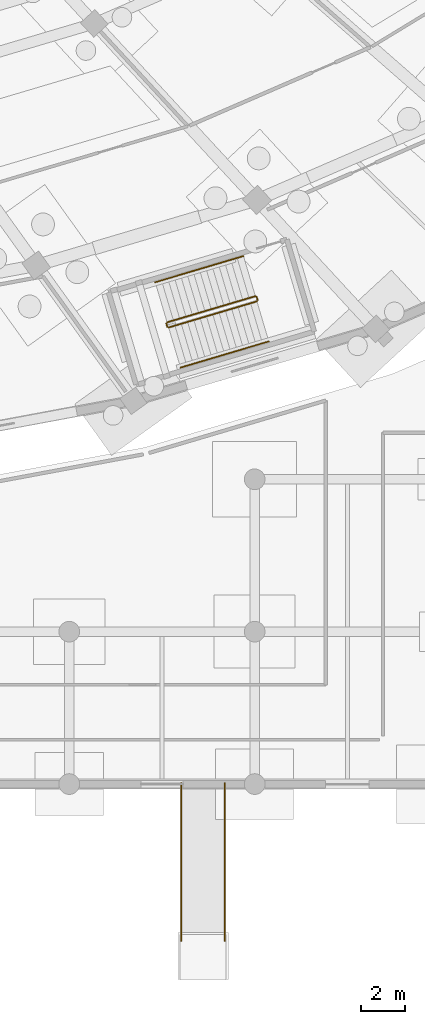
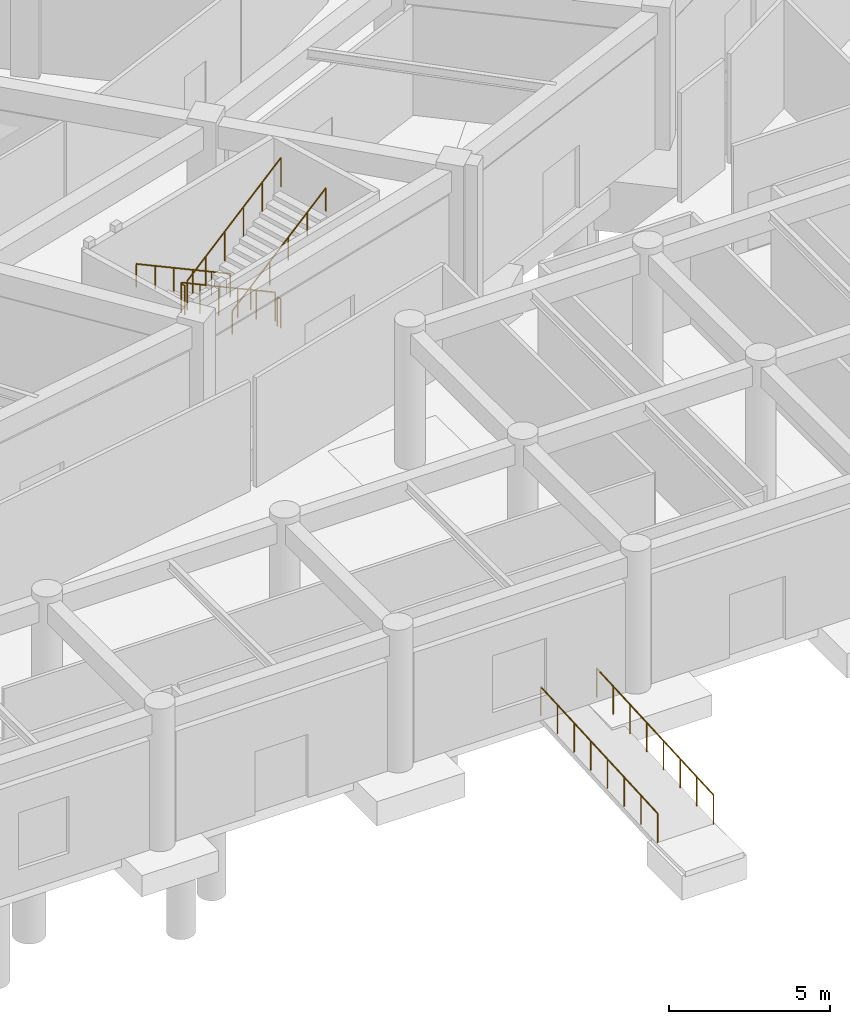
# One storey, part 76 of 88: 8 railings.
"""IFC4 building model written with IfcOpenShell, lengths in metres."""

from ifc_helpers import new_model, si_unit, direction, frame, origin, origin_2d, place, context, subcontext, project, spatial, circle, extrude, material, type_object, element, save


model = new_model("IFC4")

# Units and contexts
model_context = context("Model", 3, precision=1e-05, world=origin(), true_north=direction((0.0, 1.0)))
body_context = subcontext(model_context, "Body", "Model", "MODEL_VIEW")
ifc_project = project(units=[si_unit("LENGTHUNIT", "METRE"), si_unit("AREAUNIT", "SQUARE_METRE"), si_unit("VOLUMEUNIT", "CUBIC_METRE"), si_unit("PLANEANGLEUNIT", "RADIAN"), si_unit("MASSUNIT", "GRAM", prefix="KILO")], contexts=[model_context])

# Site, building, storey
site_placement = place(None, origin())
site = spatial("IfcSite", under=ifc_project, at=site_placement, CompositionType="ELEMENT")
building_placement = place(site_placement, origin())
building = spatial("IfcBuilding", under=site, at=building_placement, Name="Mphavela Belvedere Stadium", CompositionType="ELEMENT")
storey_placement = place(building_placement, origin())
storey = spatial("IfcBuildingStorey", under=building, at=storey_placement, Name="L00", CompositionType="ELEMENT", Elevation=0.0)

# Railings
ifc_material_1 = material(Name="Painted galvanised steel stair guardrail", Category="steel")
railing_type_1 = type_object("IfcRailingType", Name="RAL-GUARD-1120", PredefinedType="GUARDRAIL", material=ifc_material_1)
railing_1_placement = place(storey_placement, frame((170.39990234375, 22.41259765625, 0.179931640625)))
element("IfcRailing", 1, at=railing_1_placement, inside=storey, type_object=railing_type_1, Name="L00 ST-P04 stair guard 1", PredefinedType="GUARDRAIL", context=body_context, shape_type="SweptSolid", body=[
    extrude(circle(Radius=0.02392578125, at=origin_2d()), frame((0.0, 0.0, 1.09619140625), z_axis=(-0.823491828592, -0.244388883235, 0.51199148625), x_axis=(0.284507077541, -0.958673939788, 0.0)), (0.0, 0.0, 1.0), 4.921875),
    extrude(circle(Radius=0.02099609375, at=origin_2d()), origin(), (0.0, 0.0, 1.0), 1.072021484375),
    extrude(circle(Radius=0.02099609375, at=origin_2d()), frame((-0.810546875, -0.240478515625, 0.50390625)), (0.0, 0.0, 1.0), 1.072021484375),
    extrude(circle(Radius=0.02099609375, at=origin_2d()), frame((-1.621337890625, -0.481201171875, 1.008056640625)), (0.0, 0.0, 1.0), 1.072021484375),
    extrude(circle(Radius=0.02099609375, at=origin_2d()), frame((-2.431884765625, -0.7216796875, 1.511962890625)), (0.0, 0.0, 1.0), 1.072021484375),
    extrude(circle(Radius=0.02099609375, at=origin_2d()), frame((-3.24267578125, -0.96240234375, 2.01611328125)), (0.0, 0.0, 1.0), 1.072021484375),
    extrude(circle(Radius=0.02099609375, at=origin_2d()), frame((-4.05322265625, -1.202880859375, 2.52001953125)), (0.0, 0.0, 1.0), 1.072021484375),
])
railing_2_placement = place(storey_placement, frame((166.31298828125, 21.147705078125, 2.699951171875)))
element("IfcRailing", 2, at=railing_2_placement, inside=storey, type_object=railing_type_1, Name="L00 ST-P04 stair guard 2", PredefinedType="GUARDRAIL", context=body_context, shape_type="SweptSolid", body=[
    extrude(circle(Radius=0.02392578125, at=origin_2d()), frame((0.0, 0.0, 1.09619140625), z_axis=(0.284808608521, -0.958584402394, 0.0), x_axis=(0.958584402394, 0.284808608521, 0.0)), (0.0, 0.0, 1.0), 0.14990234375),
    extrude(circle(Radius=0.02099609375, at=origin_2d()), origin(), (0.0, 0.0, 1.0), 1.072021484375),
    extrude(circle(Radius=0.02099609375, at=origin_2d()), frame((0.042724609375, -0.143798828125, 0.0)), (0.0, 0.0, 1.0), 1.072021484375),
])
railing_3_placement = place(storey_placement, frame((166.41796875, 20.969970703125, 2.8798828125)))
element("IfcRailing", 3, at=railing_3_placement, inside=storey, type_object=railing_type_1, Name="L00 ST-P04 stair guard 3", PredefinedType="GUARDRAIL", context=body_context, shape_type="SweptSolid", body=[
    extrude(circle(Radius=0.02392578125, at=origin_2d()), frame((0.0, 0.0, 1.09619140625), z_axis=(0.823481845254, 0.244435521829, 0.511985279286), x_axis=(-0.284560146633, 0.958658188797, 0.0)), (0.0, 0.0, 1.0), 4.922119140625),
    extrude(circle(Radius=0.02099609375, at=origin_2d()), origin(), (0.0, 0.0, 1.0), 1.072021484375),
    extrude(circle(Radius=0.02099609375, at=origin_2d()), frame((0.810546875, 0.24072265625, 0.50390625)), (0.0, 0.0, 1.0), 1.072021484375),
    extrude(circle(Radius=0.02099609375, at=origin_2d()), frame((1.621337890625, 0.481201171875, 1.008056640625)), (0.0, 0.0, 1.0), 1.072021484375),
    extrude(circle(Radius=0.02099609375, at=origin_2d()), frame((2.431884765625, 0.721923828125, 1.511962890625)), (0.0, 0.0, 1.0), 1.072021484375),
    extrude(circle(Radius=0.02099609375, at=origin_2d()), frame((3.24267578125, 0.96240234375, 2.01611328125)), (0.0, 0.0, 1.0), 1.072021484375),
    extrude(circle(Radius=0.02099609375, at=origin_2d()), frame((4.05322265625, 1.203125, 2.52001953125)), (0.0, 0.0, 1.0), 1.072021484375),
])
railing_4_placement = place(storey_placement, frame((170.462158203125, 22.37890625, 0.0)))
element("IfcRailing", 4, at=railing_4_placement, inside=storey, type_object=railing_type_1, Name="L00 ST-P04 stair guard 4", PredefinedType="GUARDRAIL", context=body_context, shape_type="SweptSolid", body=[
    extrude(circle(Radius=0.02392578125, at=origin_2d()), frame((0.0, 0.0, 1.09619140625), z_axis=(0.284808608521, -0.958584402394, 0.0), x_axis=(0.958584402394, 0.284808608521, 0.0)), (0.0, 0.0, 1.0), 0.14990234375),
    extrude(circle(Radius=0.02099609375, at=origin_2d()), origin(), (0.0, 0.0, 1.0), 1.072021484375),
    extrude(circle(Radius=0.02099609375, at=origin_2d()), frame((0.042724609375, -0.143798828125, 0.0)), (0.0, 0.0, 1.0), 1.072021484375),
])
for number, where, name in (
    (5, (169.0, -7.199951171875, -0.39990234375), "Ramp RP2 guardrail R"),
    (6, (167.0, -7.199951171875, -0.39990234375), "Ramp RP2 guardrail L"),
):
    element("IfcRailing", number, at=place(storey_placement, frame(where)), inside=storey, type_object=railing_type_1, Name=name, PredefinedType="GUARDRAIL", context=body_context, shape_type="SweptSolid", body=[
        extrude(circle(Radius=0.02392578125, at=origin_2d()), frame((0.0, 0.0, 1.09619140625), z_axis=(0.0, 0.998482207996, 0.055075224161), x_axis=(-1.0, 0.0, 0.0)), (0.0, 0.0, 1.0), 7.260986328125),
        extrude(circle(Radius=0.02099609375, at=origin_2d()), origin(), (0.0, 0.0, 1.0), 1.072021484375),
        extrude(circle(Radius=0.02099609375, at=origin_2d()), frame((0.0, 1.03564453125, 0.05712890625)), (0.0, 0.0, 1.0), 1.072021484375),
        extrude(circle(Radius=0.02099609375, at=origin_2d()), frame((0.0, 2.071533203125, 0.1142578125)), (0.0, 0.0, 1.0), 1.072021484375),
        extrude(circle(Radius=0.02099609375, at=origin_2d()), frame((0.0, 3.107177734375, 0.17138671875)), (0.0, 0.0, 1.0), 1.072021484375),
        extrude(circle(Radius=0.02099609375, at=origin_2d()), frame((0.0, 4.142822265625, 0.228515625)), (0.0, 0.0, 1.0), 1.072021484375),
        extrude(circle(Radius=0.02099609375, at=origin_2d()), frame((0.0, 5.178466796875, 0.28564453125)), (0.0, 0.0, 1.0), 1.072021484375),
        extrude(circle(Radius=0.02099609375, at=origin_2d()), frame((0.0, 6.21435546875, 0.3427734375)), (0.0, 0.0, 1.0), 1.072021484375),
        extrude(circle(Radius=0.02099609375, at=origin_2d()), frame((0.0, 7.25, 0.39990234375)), (0.0, 0.0, 1.0), 1.072021484375),
    ])
ifc_material_2 = material(Name="Brushed stainless steel tubular handrail", Category="steel")
railing_type_2 = type_object("IfcRailingType", Name="RAL-HANDRAIL-900", PredefinedType="HANDRAIL", material=ifc_material_2)
railing_5_placement = place(storey_placement, frame((169.853759765625, 24.25341796875, 0.179931640625)))
element("IfcRailing", 7, at=railing_5_placement, inside=storey, type_object=railing_type_2, Name="L00 ST-P04 stair handrail 1", PredefinedType="HANDRAIL", context=body_context, shape_type="SweptSolid", body=[
    extrude(circle(Radius=0.02392578125, at=origin_2d()), frame((0.0, 0.0, 0.8759765625), z_axis=(-0.823481845254, -0.244435521829, 0.511985279286), x_axis=(0.284560146633, -0.958658188797, 0.0)), (0.0, 0.0, 1.0), 4.922119140625),
    extrude(circle(Radius=0.02099609375, at=origin_2d()), origin(), (0.0, 0.0, 1.0), 0.851806640625),
    extrude(circle(Radius=0.02099609375, at=origin_2d()), frame((-0.810546875, -0.24072265625, 0.50390625)), (0.0, 0.0, 1.0), 0.851806640625),
    extrude(circle(Radius=0.02099609375, at=origin_2d()), frame((-1.621337890625, -0.481201171875, 1.008056640625)), (0.0, 0.0, 1.0), 0.851806640625),
    extrude(circle(Radius=0.02099609375, at=origin_2d()), frame((-2.431884765625, -0.721923828125, 1.511962890625)), (0.0, 0.0, 1.0), 0.851806640625),
    extrude(circle(Radius=0.02099609375, at=origin_2d()), frame((-3.24267578125, -0.96240234375, 2.01611328125)), (0.0, 0.0, 1.0), 0.851806640625),
    extrude(circle(Radius=0.02099609375, at=origin_2d()), frame((-4.05322265625, -1.203125, 2.52001953125)), (0.0, 0.0, 1.0), 0.851806640625),
])
railing_6_placement = place(storey_placement, frame((166.964111328125, 19.12939453125, 2.8798828125)))
element("IfcRailing", 8, at=railing_6_placement, inside=storey, type_object=railing_type_2, Name="L00 ST-P04 stair handrail 2", PredefinedType="HANDRAIL", context=body_context, shape_type="SweptSolid", body=[
    extrude(circle(Radius=0.02392578125, at=origin_2d()), frame((0.0, 0.0, 0.8759765625), z_axis=(0.823491828592, 0.244388883235, 0.51199148625), x_axis=(-0.284507077541, 0.958673939788, 0.0)), (0.0, 0.0, 1.0), 4.921875),
    extrude(circle(Radius=0.02099609375, at=origin_2d()), origin(), (0.0, 0.0, 1.0), 0.851806640625),
    extrude(circle(Radius=0.02099609375, at=origin_2d()), frame((0.810546875, 0.240478515625, 0.50390625)), (0.0, 0.0, 1.0), 0.851806640625),
    extrude(circle(Radius=0.02099609375, at=origin_2d()), frame((1.621337890625, 0.481201171875, 1.008056640625)), (0.0, 0.0, 1.0), 0.851806640625),
    extrude(circle(Radius=0.02099609375, at=origin_2d()), frame((2.431884765625, 0.7216796875, 1.511962890625)), (0.0, 0.0, 1.0), 0.851806640625),
    extrude(circle(Radius=0.02099609375, at=origin_2d()), frame((3.24267578125, 0.96240234375, 2.01611328125)), (0.0, 0.0, 1.0), 0.851806640625),
    extrude(circle(Radius=0.02099609375, at=origin_2d()), frame((4.05322265625, 1.202880859375, 2.52001953125)), (0.0, 0.0, 1.0), 0.851806640625),
])

save(model, "model.ifc")
